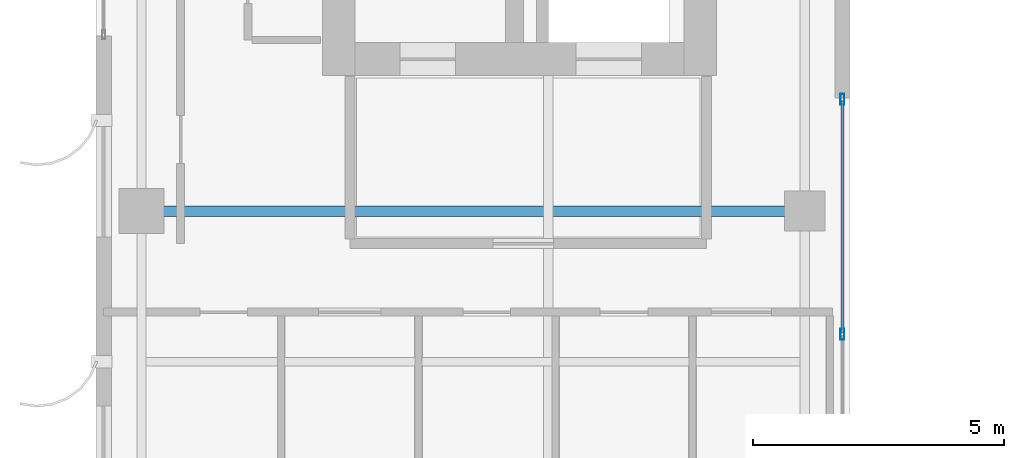
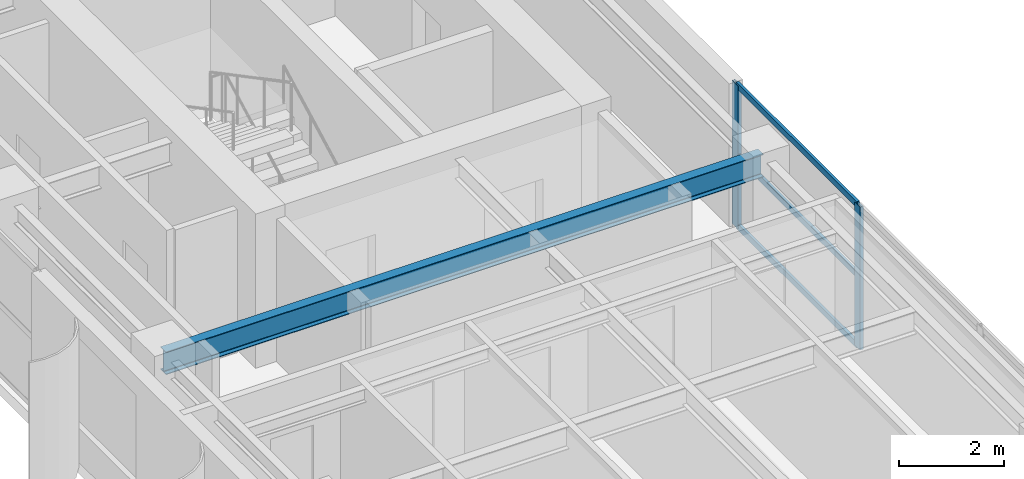
# One storey, part 4 of 22: 5 members, 1 beam, 1 element without a shape of its own.
"""IFC4 building model written with IfcOpenShell, lengths in metres."""

from ifc_helpers import new_model, si_unit, direction, frame, origin, origin_2d, place, context, subcontext, project, spatial, hollow_rectangle, i_section, extrude, source, transform, mapped, material, layer, layer_set, material_profile, profile_set, type_object, element, aggregate, save


model = new_model("IFC4")

# Units and contexts
model_context = context("Model", 3, precision=1e-05, world=origin(), true_north=direction((0.0, 1.0)))
body_context = subcontext(model_context, "Body", "Model", "MODEL_VIEW")
ifc_project = project(units=[si_unit("LENGTHUNIT", "METRE"), si_unit("AREAUNIT", "SQUARE_METRE"), si_unit("VOLUMEUNIT", "CUBIC_METRE"), si_unit("PLANEANGLEUNIT", "RADIAN"), si_unit("MASSUNIT", "GRAM", prefix="KILO")], contexts=[model_context])

# Site, building, storey
site_placement = place(None, origin())
site = spatial("IfcSite", under=ifc_project, at=site_placement, CompositionType="ELEMENT")
building_placement = place(site_placement, origin())
building = spatial("IfcBuilding", under=site, at=building_placement, Name="Khoralis Quay Care Tower", CompositionType="ELEMENT")
storey_placement = place(building_placement, frame((0.0, 0.0, 191.699951171875)))
storey = spatial("IfcBuildingStorey", under=building, at=storey_placement, Name="L50", CompositionType="ELEMENT", Elevation=191.699951171875)

# Beam
ifc_material_1 = material(Name="Steel S355", Category="steel")
ifc_material_profile_1 = material_profile(ifc_material_1, i_section(OverallWidth=0.208984375, OverallDepth=0.532958984375, WebThickness=0.01025390625, FlangeThickness=0.015625, FilletRadius=0.01611328125, at=origin_2d()), Name="Steel S355")
ifc_profile_set_1 = profile_set([ifc_material_profile_1], Name="Steel S355")
beam_type = type_object("IfcBeamType", Name="BM-W530X92", PredefinedType="BEAM", material=ifc_profile_set_1)
shared_shape_1 = source(origin(), body_context, "Body", "SweptSolid", [
    extrude(i_section(OverallWidth=0.208984375, OverallDepth=0.532958984375, WebThickness=0.01025390625, FlangeThickness=0.015625, FilletRadius=0.01611328125, at=origin_2d()), origin(), (0.0, 0.0, 1.0), 13.2001953125),
])
beam_placement = place(storey_placement, frame((3.89990234375, 12.0, 3.073486328125), z_axis=(1.0, 0.0, 0.0), x_axis=(0.0, 1.0, 0.0)))
element("IfcBeam", 1, at=beam_placement, inside=storey, type_object=beam_type, Name="BM-TGXW-L50-120", PredefinedType="BEAM", context=body_context, shape_type="MappedRepresentation", body=[
    mapped(shared_shape_1, transform((0.0, 0.0, 0.0), scale=1.0)),
])

# Curtain wall, members
ifc_material_2 = material(Name="Pale anodised aluminium", Category="aluminium")
ifc_layer = layer(ifc_material_2, 0.18994140625)
ifc_layer_set = layer_set([ifc_layer], Name="Pale anodised aluminium")
curtain_wall_type = type_object("IfcCurtainWallType", Name="CW-SYS-PORTAL", PredefinedType="NOTDEFINED", material=ifc_layer_set)
curtain_wall_placement = place(storey_placement, origin())
curtain_wall = element("IfcCurtainWall", 2, at=curtain_wall_placement, inside=storey, type_object=curtain_wall_type, Name="L50 Unitised Curtain Wall CW-VP-L50-P1-S", PredefinedType="NOTDEFINED")
ifc_material_profile_2 = material_profile(ifc_material_2, hollow_rectangle(XDim=0.074951171875, YDim=0.219970703125, WallThickness=0.00390625, at=origin_2d()), Name="Pale anodised aluminium")
ifc_profile_set_2 = profile_set([ifc_material_profile_2], Name="Pale anodised aluminium")
member_type_1 = type_object("IfcMemberType", Name="CW-MUL-220", PredefinedType="MULLION", material=ifc_profile_set_2)
shared_shape_2 = source(origin(), body_context, "Body", "SweptSolid", [
    extrude(hollow_rectangle(XDim=0.074951171875, YDim=0.219970703125, WallThickness=0.00390625, at=origin_2d()), origin(), (0.0, 0.0, 1.0), 3.340087890625),
])
member_1_placement = place(storey_placement, frame((17.85009765625, 9.550048828125, 0.0), z_axis=(0.0, 0.0, 1.0), x_axis=(-1.0, 0.0, 0.0)))
member_1 = element("IfcMember", 3, at=member_1_placement, type_object=member_type_1, Name="CW4 mullion 3", PredefinedType="MULLION", context=body_context, shape_type="MappedRepresentation", body=[
    mapped(shared_shape_2, transform((0.0, 0.0, 0.0), scale=1.0)),
])
member_2_placement = place(storey_placement, frame((17.85009765625, 14.219970703125, 0.0), z_axis=(0.0, 0.0, 1.0), x_axis=(-1.0, 0.0, 0.0)))
member_2 = element("IfcMember", 4, at=member_2_placement, type_object=member_type_1, Name="CW4 mullion 4", PredefinedType="MULLION", context=body_context, shape_type="MappedRepresentation", body=[
    mapped(shared_shape_2, transform((0.0, 0.0, 0.0), scale=1.0)),
])
ifc_material_profile_3 = material_profile(ifc_material_2, hollow_rectangle(XDim=0.06005859375, YDim=0.139892578125, WallThickness=0.00390625, at=origin_2d()), Name="Pale anodised aluminium")
ifc_profile_set_3 = profile_set([ifc_material_profile_3], Name="Pale anodised aluminium")
member_type_2 = type_object("IfcMemberType", Name="CW-TRN-140", PredefinedType="USERDEFINED", material=ifc_profile_set_3)
shared_shape_3 = source(origin(), body_context, "Body", "SweptSolid", [
    extrude(hollow_rectangle(XDim=0.06005859375, YDim=0.139892578125, WallThickness=0.00390625, at=origin_2d()), origin(), (0.0, 0.0, 1.0), 4.60986328125),
])
member_3_placement = place(storey_placement, frame((17.85009765625, 9.580078125, 0.030029296875), z_axis=(0.0, 1.0, 0.0), x_axis=(-1.0, 0.0, 0.0)))
member_3 = element("IfcMember", 5, at=member_3_placement, type_object=member_type_2, Name="CW4 transom 3.1", ObjectType="TRANSOM", PredefinedType="USERDEFINED", context=body_context, shape_type="MappedRepresentation", body=[
    mapped(shared_shape_3, transform((0.0, 0.0, 0.0), scale=1.0)),
])
member_4_placement = place(storey_placement, frame((17.85009765625, 9.580078125, 1.670166015625), z_axis=(0.0, 1.0, 0.0), x_axis=(-1.0, 0.0, 0.0)))
member_4 = element("IfcMember", 6, at=member_4_placement, type_object=member_type_2, Name="CW4 transom 3.2", ObjectType="TRANSOM", PredefinedType="USERDEFINED", context=body_context, shape_type="MappedRepresentation", body=[
    mapped(shared_shape_3, transform((0.0, 0.0, 0.0), scale=1.0)),
])
member_5_placement = place(storey_placement, frame((17.85009765625, 9.580078125, 3.31005859375), z_axis=(0.0, 1.0, 0.0), x_axis=(-1.0, 0.0, 0.0)))
member_5 = element("IfcMember", 7, at=member_5_placement, type_object=member_type_2, Name="CW4 transom 3.3", ObjectType="TRANSOM", PredefinedType="USERDEFINED", context=body_context, shape_type="MappedRepresentation", body=[
    mapped(shared_shape_3, transform((0.0, 0.0, 0.0), scale=1.0)),
])
aggregate(curtain_wall, [member_1, member_2, member_3, member_4, member_5])

save(model, "model.ifc")
